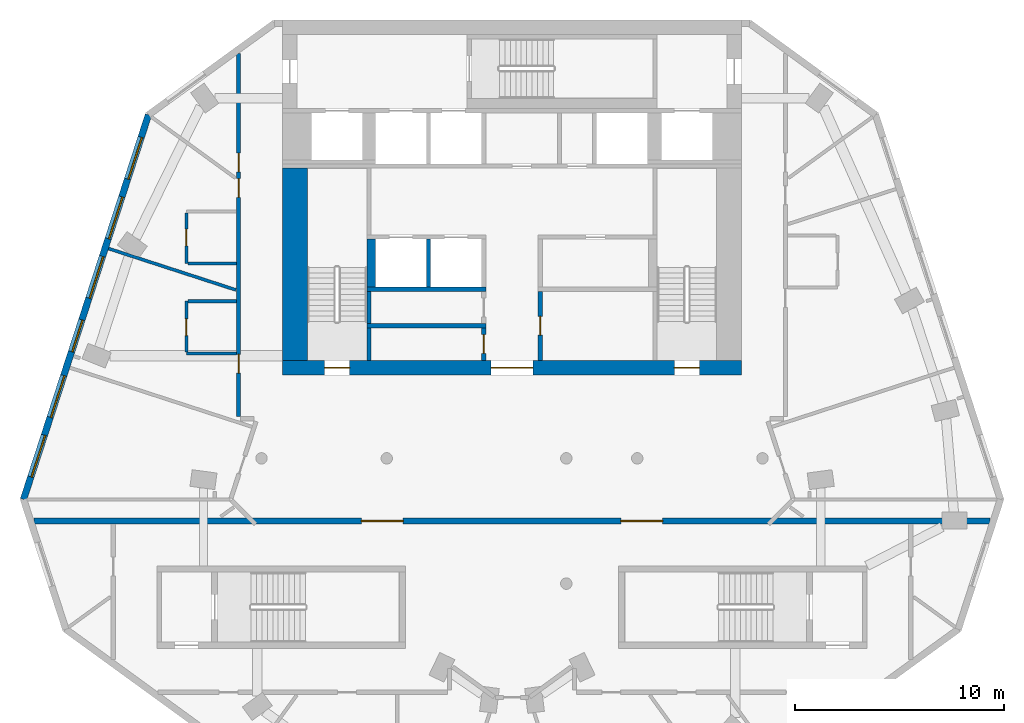
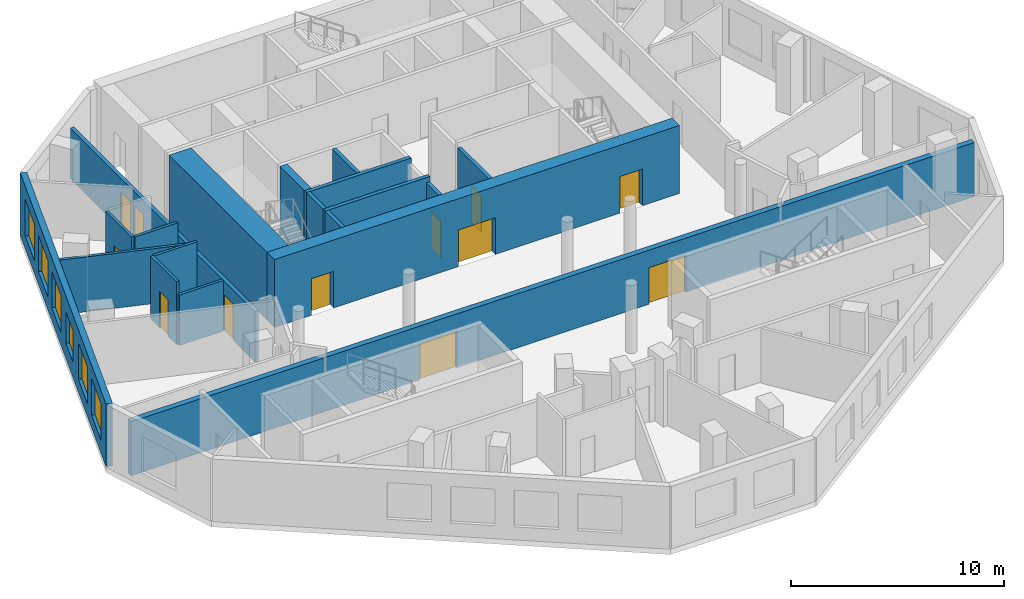
# One storey, part 3 of 8: 19 walls, 12 doors, 6 windows, 18 openings.
"""IFC4 building model written with IfcOpenShell, lengths in metres."""

import ifcopenshell
import ifcopenshell.guid

model = None  # the IFC model being written
_history = None  # IfcOwnerHistory: only IFC2X3 demands one
_inside = {}  # id of a spatial element -> (the spatial element, [elements in it])
_under = {}  # id of a project, library or spatial element -> (it, [spatial elements below it])
_declared = {}  # id of a project -> (the project, [libraries it declares])
_typed = {}  # id of a type object -> (the type object, [elements of that type])
_made_of = {}  # id of a material, layer set ... -> (it, [elements and type objects made of it])


def new_model(schema):
    """Start an empty IFC model of exactly this schema.

    Asked for "IFC4X3", IfcOpenShell would pick the latest addendum, in which some entities
    have other attributes; the version numbers below select the first issue.
    IFC2X3 requires an IfcOwnerHistory on every rooted entity: one is made here for all.
    """
    global model, _history
    if schema == "IFC4X3":
        model = ifcopenshell.file(schema_version=(4, 3, 0, 0))
    else:
        model = ifcopenshell.file(schema=schema)
    _inside.clear()
    _under.clear()
    _declared.clear()
    _typed.clear()
    _made_of.clear()
    _history = None
    if model.schema == "IFC2X3":
        org = make("IfcOrganization", Name="unknown")
        user = make(
            "IfcPersonAndOrganization",
            ThePerson=make("IfcPerson", FamilyName="unknown"),
            TheOrganization=org,
        )
        app = make(
            "IfcApplication",
            ApplicationDeveloper=org,
            Version="unknown",
            ApplicationFullName="unknown",
            ApplicationIdentifier="unknown",
        )
        _history = make(
            "IfcOwnerHistory",
            OwningUser=user,
            OwningApplication=app,
            ChangeAction="ADDED",
            CreationDate=0,
        )
    return model


def make(cls, **values):
    """One entity of the class cls with the attributes given. An attribute that is None is left unset."""
    return model.create_entity(
        cls, **{name: value for name, value in values.items() if value is not None}
    )


def rooted(cls, **values):
    """An entity with a GlobalId (a new one), such as an element, a storey or a relation."""
    return make(cls, GlobalId=ifcopenshell.guid.new(), OwnerHistory=_history, **values)


def si_unit(unit_type, name, prefix=None):
    """IfcSIUnit, for example si_unit("LENGTHUNIT", "METRE", prefix="MILLI")."""
    return make("IfcSIUnit", UnitType=unit_type, Prefix=prefix, Name=name)


def assignment(units):
    """IfcUnitAssignment: the units of a project."""
    return None if units is None else make("IfcUnitAssignment", Units=units)


def point(xyz):
    """IfcCartesianPoint."""
    return None if xyz is None else make("IfcCartesianPoint", Coordinates=xyz)


def direction(xyz):
    """IfcDirection."""
    return None if xyz is None else make("IfcDirection", DirectionRatios=xyz)


def frame(location, z_axis=None, x_axis=None):
    """IfcAxis2Placement3D, a coordinate frame: its origin and axes. An axis left out is left unset."""
    return make(
        "IfcAxis2Placement3D",
        Location=point(location),
        Axis=direction(z_axis),
        RefDirection=direction(x_axis),
    )


def frame_2d(location, x_axis=None):
    """IfcAxis2Placement2D, a coordinate frame in the plane: its origin and x axis."""
    return make(
        "IfcAxis2Placement2D", Location=point(location), RefDirection=direction(x_axis)
    )


def origin():
    """The frame at (0, 0, 0) with its axes left unset."""
    return frame((0.0, 0.0, 0.0))


def place(relative_to, where):
    """IfcLocalPlacement: puts the frame where relative to a parent placement (None: the world)."""
    return make(
        "IfcLocalPlacement", PlacementRelTo=relative_to, RelativePlacement=where
    )


def context(
    kind, dimensions, precision=None, world=None, true_north=None, identifier=None
):
    """IfcGeometricRepresentationContext, for example the 3D "Model" context."""
    return make(
        "IfcGeometricRepresentationContext",
        ContextIdentifier=identifier,
        ContextType=kind,
        CoordinateSpaceDimension=dimensions,
        Precision=precision,
        WorldCoordinateSystem=world,
        TrueNorth=true_north,
    )


def subcontext(parent, identifier, kind, view, scale=None):
    """IfcGeometricRepresentationSubContext, for example "Body" below "Model"."""
    return make(
        "IfcGeometricRepresentationSubContext",
        ContextIdentifier=identifier,
        ContextType=kind,
        ParentContext=parent,
        TargetScale=scale,
        TargetView=view,
    )


def project(units=None, contexts=None):
    """IfcProject with its units and contexts."""
    return rooted(
        "IfcProject",
        Name="project",
        RepresentationContexts=contexts,
        UnitsInContext=assignment(units),
    )


def spatial(cls, under=None, at=None, **own):
    """A site, building, storey or space (cls), placed at a placement, below another one or the project."""
    s = rooted(cls, ObjectPlacement=at, **own)
    if under is not None:
        _under.setdefault(under.id(), (under, []))[1].append(s)
    return s


def profile(cls, at=None, kind="AREA", **sizes):
    """A parametric profile (cls). Its sizes go by their IFC names, for example OverallWidth=200.0."""
    return make(cls, ProfileType=kind, Position=at, **sizes)


def rectangle(**sizes):
    """IfcRectangleProfileDef."""
    return profile("IfcRectangleProfileDef", **sizes)


def extrude(swept, where, along, depth):
    """IfcExtrudedAreaSolid: the profile swept, set in the frame where, extruded along a direction by depth."""
    return make(
        "IfcExtrudedAreaSolid",
        SweptArea=swept,
        Position=where,
        ExtrudedDirection=direction(along),
        Depth=depth,
    )


def shape(context_of_items, identifier, shape_type, items):
    """IfcShapeRepresentation: the items that make up one representation, for example the "Body"."""
    return make(
        "IfcShapeRepresentation",
        ContextOfItems=context_of_items,
        RepresentationIdentifier=identifier,
        RepresentationType=shape_type,
        Items=items,
    )


def material(Name=None, Category=None):
    """IfcMaterial."""
    return make("IfcMaterial", Name=Name, Category=Category)


def layer(
    of_material, thickness, ventilated=None, Name=None, Category=None, Priority=None
):
    """IfcMaterialLayer: one layer of a wall or slab, of a material (None: an air gap)."""
    return make(
        "IfcMaterialLayer",
        Material=of_material,
        LayerThickness=thickness,
        IsVentilated=ventilated,
        Name=Name,
        Category=Category,
        Priority=Priority,
    )


def layer_set(layers, Name=None):
    """IfcMaterialLayerSet."""
    return make("IfcMaterialLayerSet", MaterialLayers=layers, LayerSetName=Name)


def made_of(thing, what):
    """Note that an element or type object is made of a material, layer set ...; save() writes the relation."""
    if what is not None:
        _made_of.setdefault(what.id(), (what, []))[1].append(thing)
    return thing


def type_object(cls, material=None, **own):
    """A type object (cls), such as IfcWallType, which elements share."""
    return made_of(rooted(cls, **own), material)


def element(
    cls,
    number,
    at=None,
    inside=None,
    cuts=None,
    type_object=None,
    material=None,
    context=None,
    identifier="Body",
    shape_type=None,
    held_by="IfcProductDefinitionShape",
    body=None,
    shapes=None,
    **own,
):
    """One element of the class cls, such as IfcWall. Its Tag is "e" and its number.

    at: its placement. inside: the storey or other place that contains it. cuts: it is an
    opening in that element (IfcRelVoidsElement). A single representation is given by context,
    identifier, shape_type and body (its items); several are given by shapes. held_by: the class
    of the entity that holds the representations. save() writes the other relations.
    """
    e = rooted(cls, Tag="e%d" % number, ObjectPlacement=at, **own)
    if body is not None:
        shapes = [shape(context, identifier, shape_type, body)]
    if shapes is not None:
        e.Representation = make(held_by, Representations=shapes)
    if inside is not None:
        _inside.setdefault(inside.id(), (inside, []))[1].append(e)
    if cuts is not None:
        rooted(
            "IfcRelVoidsElement", RelatingBuildingElement=cuts, RelatedOpeningElement=e
        )
    if type_object is not None:
        _typed.setdefault(type_object.id(), (type_object, []))[1].append(e)
    return made_of(e, material)


def fill(opening, filler):
    """IfcRelFillsElement: the door or window that sits in an opening."""
    return rooted(
        "IfcRelFillsElement",
        RelatingOpeningElement=opening,
        RelatedBuildingElement=filler,
    )


def aggregate(whole, parts):
    """IfcRelAggregates: a whole, such as a stair, and the parts it consists of."""
    return rooted("IfcRelAggregates", RelatingObject=whole, RelatedObjects=parts)


def save(model, path):
    """Write the relations noted so far, then the file.

    IfcRelAggregates (storeys below a building ...), IfcRelContainedInSpatialStructure (elements
    in a storey), IfcRelDefinesByType, IfcRelAssociatesMaterial and IfcRelDeclares: one each for
    every whole, place, type object, material and project.
    """
    for whole, parts in _under.values():
        aggregate(whole, parts)
    for where, things in _inside.values():
        rooted(
            "IfcRelContainedInSpatialStructure",
            RelatedElements=things,
            RelatingStructure=where,
        )
    for kind, things in _typed.values():
        rooted("IfcRelDefinesByType", RelatedObjects=things, RelatingType=kind)
    for what, things in _made_of.values():
        rooted("IfcRelAssociatesMaterial", RelatedObjects=things, RelatingMaterial=what)
    for by, libraries in _declared.values():
        rooted("IfcRelDeclares", RelatingContext=by, RelatedDefinitions=libraries)
    model.write(path)


model = new_model("IFC4")

# Units and contexts
model_context = context("Model", 3, precision=1e-05, world=origin(), true_north=direction((0.0, 1.0)))
body_context = subcontext(model_context, "Body", "Model", "MODEL_VIEW")
ifc_project = project(units=[si_unit("LENGTHUNIT", "METRE"), si_unit("AREAUNIT", "SQUARE_METRE"), si_unit("VOLUMEUNIT", "CUBIC_METRE"), si_unit("PLANEANGLEUNIT", "RADIAN"), si_unit("MASSUNIT", "GRAM", prefix="KILO")], contexts=[model_context])

# Site, building, storey
site_placement = place(None, origin())
site = spatial("IfcSite", under=ifc_project, at=site_placement, CompositionType="ELEMENT")
building_placement = place(site_placement, origin())
building = spatial("IfcBuilding", under=site, at=building_placement, Name="White Candle Pilgrim Tower", CompositionType="ELEMENT")
storey_placement = place(building_placement, frame((0.0, 0.0, 267.800048828125)))
storey = spatial("IfcBuildingStorey", under=building, at=storey_placement, Name="L63", CompositionType="ELEMENT", Elevation=267.800048828125)

# Wall, openings, doors
ifc_material_1 = material(Name="Gypsum board on steel studs", Category="steel")
ifc_layer_1 = layer(ifc_material_1, 0.199951171875)
ifc_layer_set_1 = layer_set([ifc_layer_1], Name="Corridor wall 200 mm EI 45")
wall_type_1 = type_object("IfcWallType", Name="Corridor wall 200 mm EI 45", PredefinedType="PARTITIONING", material=ifc_layer_set_1)
wall_1_placement = place(storey_placement, frame((56.89990234375, 69.0, 0.0), z_axis=(0.0, 0.0, 1.0), x_axis=(0.0, 1.0, 0.0)))
wall_1 = element("IfcWall", 1, at=wall_1_placement, inside=storey, type_object=wall_type_1, Name="WL-L63-P006", PredefinedType="PARTITIONING", context=body_context, shape_type="SweptSolid", body=[
    extrude(rectangle(XDim=17.396240234375, YDim=0.199951171875, at=frame_2d((8.6982421875, 0.0))), origin(), (0.0, 0.0, 1.0), 2.89990234375),
])
opening_1_placement = place(wall_1_placement, frame((2.084716796875, 0.0, 0.0)))
opening_1 = element("IfcOpeningElement", 2, at=opening_1_placement, cuts=wall_1, Name="Opening T19-115", PredefinedType="OPENING", context=body_context, shape_type="SweptSolid", body=[
    extrude(rectangle(XDim=0.89990234375, YDim=2.10009765625, at=frame_2d((0.449951171875, 1.050048828125))), frame((0.0, 0.10986328125, 0.0), z_axis=(0.0, -1.0, 0.0), x_axis=(1.0, 0.0, 0.0)), (0.0, 0.0, 1.0), 0.219970703125),
])
opening_2_placement = place(wall_1_placement, frame((10.502197265625, 0.0, 0.0)))
opening_2 = element("IfcOpeningElement", 3, at=opening_2_placement, cuts=wall_1, Name="Opening T19-116", PredefinedType="OPENING", context=body_context, shape_type="SweptSolid", body=[
    extrude(rectangle(XDim=0.89990234375, YDim=2.10009765625, at=frame_2d((0.449951171875, 1.050048828125))), frame((0.0, 0.10986328125, 0.0), z_axis=(0.0, -1.0, 0.0), x_axis=(1.0, 0.0, 0.0)), (0.0, 0.0, 1.0), 0.219970703125),
])
opening_3_placement = place(wall_1_placement, frame((11.727294921875, 0.0, 0.0)))
opening_3 = element("IfcOpeningElement", 4, at=opening_3_placement, cuts=wall_1, Name="Opening T19-117", PredefinedType="OPENING", context=body_context, shape_type="SweptSolid", body=[
    extrude(rectangle(XDim=0.89990234375, YDim=2.10009765625, at=frame_2d((0.449951171875, 1.050048828125))), frame((0.0, 0.10986328125, 0.0), z_axis=(0.0, -1.0, 0.0), x_axis=(1.0, 0.0, 0.0)), (0.0, 0.0, 1.0), 0.219970703125),
])
ifc_material_2 = material(Name="Steel door leaf", Category="steel")
door_type_1 = type_object("IfcDoorType", Name="Fire door 900 x 2100 EI 30", OperationType="NOTDEFINED", PredefinedType="DOOR", material=ifc_material_2)
door_1_placement = place(opening_1_placement, frame((0.89990234375, 0.0, 0.0), z_axis=(0.0, 0.0, 1.0), x_axis=(-1.0, 0.0, 0.0)))
door_1 = element("IfcDoor", 5, at=door_1_placement, inside=storey, type_object=door_type_1, Name="Door T19-115", OperationType="SINGLE_SWING_RIGHT", OverallHeight=2.10009765625, OverallWidth=0.89990234375, PredefinedType="DOOR", context=body_context, shape_type="SweptSolid", body=[
    extrude(rectangle(XDim=0.89990234375, YDim=2.10009765625, at=frame_2d((0.449951171875, 1.050048828125))), frame((0.0, 0.02490234375, 0.0), z_axis=(0.0, -1.0, 0.0), x_axis=(1.0, 0.0, 0.0)), (0.0, 0.0, 1.0), 0.050048828125),
])
fill(opening_1, door_1)
door_2_placement = place(opening_2_placement, origin())
door_2 = element("IfcDoor", 6, at=door_2_placement, inside=storey, type_object=door_type_1, Name="Door T19-116", OperationType="SINGLE_SWING_RIGHT", OverallHeight=2.10009765625, OverallWidth=0.89990234375, PredefinedType="DOOR", context=body_context, shape_type="SweptSolid", body=[
    extrude(rectangle(XDim=0.89990234375, YDim=2.10009765625, at=frame_2d((0.449951171875, 1.050048828125))), frame((0.0, 0.02490234375, 0.0), z_axis=(0.0, -1.0, 0.0), x_axis=(1.0, 0.0, 0.0)), (0.0, 0.0, 1.0), 0.050048828125),
])
fill(opening_2, door_2)
door_3_placement = place(opening_3_placement, origin())
door_3 = element("IfcDoor", 7, at=door_3_placement, inside=storey, type_object=door_type_1, Name="Door T19-117", OperationType="SINGLE_SWING_LEFT", OverallHeight=2.10009765625, OverallWidth=0.89990234375, PredefinedType="DOOR", context=body_context, shape_type="SweptSolid", body=[
    extrude(rectangle(XDim=0.89990234375, YDim=2.10009765625, at=frame_2d((0.449951171875, 1.050048828125))), frame((0.0, 0.02490234375, 0.0), z_axis=(0.0, -1.0, 0.0), x_axis=(1.0, 0.0, 0.0)), (0.0, 0.0, 1.0), 0.050048828125),
])
fill(opening_3, door_3)

# Wall, openings, windows
ifc_material_3 = material(Name="Precast concrete C40/50", Category="concrete")
ifc_layer_2 = layer(ifc_material_3, 0.320068359375)
ifc_layer_set_2 = layer_set([ifc_layer_2], Name="Facade wall EW1 precast concrete C40/50 pier wall with timber-lined reveals")
wall_type_2 = type_object("IfcWallType", Name="Facade wall EW1 precast concrete C40/50 pier wall with timber-lined reveals", PredefinedType="SOLIDWALL", material=ifc_layer_set_2)
wall_2_placement = place(storey_placement, frame((52.58447265625, 83.45849609375, 0.0), z_axis=(0.0, 0.0, 1.0), x_axis=(-0.309018808064, -0.95105592699, 0.0)))
wall_2 = element("IfcWall", 8, at=wall_2_placement, inside=storey, type_object=wall_type_2, Name="Facade wall L63 WNW", PredefinedType="SOLIDWALL", context=body_context, shape_type="SweptSolid", body=[
    extrude(rectangle(XDim=19.368896484375, YDim=0.320068359375, at=frame_2d((9.6845703125, 0.0))), origin(), (0.0, 0.0, 1.0), 3.599853515625),
])
opening_4_placement = place(wall_2_placement, frame((1.134521484375, 0.0, 0.75)))
opening_4 = element("IfcOpeningElement", 9, at=opening_4_placement, cuts=wall_2, Name="Opening W3", PredefinedType="OPENING", context=body_context, shape_type="SweptSolid", body=[
    extrude(rectangle(XDim=2.10009765625, YDim=2.10009765625, at=frame_2d((1.050048828125, 1.050048828125))), frame((0.0, 0.169921875, 0.0), z_axis=(0.0, -1.0, 0.0), x_axis=(1.0, 0.0, 0.0)), (0.0, 0.0, 1.0), 0.340087890625),
])
opening_5_placement = place(wall_2_placement, frame((4.134521484375, 0.0, 0.75)))
opening_5 = element("IfcOpeningElement", 10, at=opening_5_placement, cuts=wall_2, Name="Opening W3", PredefinedType="OPENING", context=body_context, shape_type="SweptSolid", body=[
    extrude(rectangle(XDim=2.10009765625, YDim=2.10009765625, at=frame_2d((1.050048828125, 1.050048828125))), frame((0.0, 0.169921875, 0.0), z_axis=(0.0, -1.0, 0.0), x_axis=(1.0, 0.0, 0.0)), (0.0, 0.0, 1.0), 0.340087890625),
])
opening_6_placement = place(wall_2_placement, frame((7.134521484375, 0.0, 0.75)))
opening_6 = element("IfcOpeningElement", 11, at=opening_6_placement, cuts=wall_2, Name="Opening W3", PredefinedType="OPENING", context=body_context, shape_type="SweptSolid", body=[
    extrude(rectangle(XDim=2.10009765625, YDim=2.10009765625, at=frame_2d((1.050048828125, 1.050048828125))), frame((0.0, 0.169921875, 0.0), z_axis=(0.0, -1.0, 0.0), x_axis=(1.0, 0.0, 0.0)), (0.0, 0.0, 1.0), 0.340087890625),
])
opening_7_placement = place(wall_2_placement, frame((10.3291015625, 0.0, 0.89990234375)))
opening_7 = element("IfcOpeningElement", 12, at=opening_7_placement, cuts=wall_2, Name="Opening W2", PredefinedType="OPENING", context=body_context, shape_type="SweptSolid", body=[
    extrude(rectangle(XDim=1.60009765625, YDim=1.800048828125, at=frame_2d((0.800048828125, 0.89990234375))), frame((0.0, 0.169921875, 0.0), z_axis=(0.0, -1.0, 0.0), x_axis=(1.0, 0.0, 0.0)), (0.0, 0.0, 1.0), 0.340087890625),
])
opening_8_placement = place(wall_2_placement, frame((13.134521484375, 0.0, 0.75)))
opening_8 = element("IfcOpeningElement", 13, at=opening_8_placement, cuts=wall_2, Name="Opening W3", PredefinedType="OPENING", context=body_context, shape_type="SweptSolid", body=[
    extrude(rectangle(XDim=2.10009765625, YDim=2.10009765625, at=frame_2d((1.050048828125, 1.050048828125))), frame((0.0, 0.169921875, 0.0), z_axis=(0.0, -1.0, 0.0), x_axis=(1.0, 0.0, 0.0)), (0.0, 0.0, 1.0), 0.340087890625),
])
opening_9_placement = place(wall_2_placement, frame((16.134521484375, 0.0, 0.75)))
opening_9 = element("IfcOpeningElement", 14, at=opening_9_placement, cuts=wall_2, Name="Opening W3", PredefinedType="OPENING", context=body_context, shape_type="SweptSolid", body=[
    extrude(rectangle(XDim=2.10009765625, YDim=2.10009765625, at=frame_2d((1.050048828125, 1.050048828125))), frame((0.0, 0.169921875, 0.0), z_axis=(0.0, -1.0, 0.0), x_axis=(1.0, 0.0, 0.0)), (0.0, 0.0, 1.0), 0.340087890625),
])
ifc_material_4 = material(Name="Timber frame with triple glazing", Category="wood")
window_type_1 = type_object("IfcWindowType", Name="Window W2 1600x1800 timber frame triple glazing", PartitioningType="SINGLE_PANEL", PredefinedType="WINDOW", material=ifc_material_4)
window_1_placement = place(opening_7_placement, origin())
window_1 = element("IfcWindow", 15, at=window_1_placement, inside=storey, type_object=window_type_1, Name="Window W2 L63 WNW 4", OverallHeight=1.800048828125, OverallWidth=1.60009765625, PartitioningType="SINGLE_PANEL", PredefinedType="WINDOW", context=body_context, shape_type="SweptSolid", body=[
    extrude(rectangle(XDim=1.60009765625, YDim=1.800048828125, at=frame_2d((0.800048828125, 0.89990234375))), frame((0.0, 0.070068359375, 0.0), z_axis=(0.0, -1.0, 0.0), x_axis=(1.0, 0.0, 0.0)), (0.0, 0.0, 1.0), 0.06005859375),
])
fill(opening_7, window_1)
window_type_2 = type_object("IfcWindowType", Name="Window W3 2100x2100 timber frame triple glazing", PartitioningType="SINGLE_PANEL", PredefinedType="WINDOW", material=ifc_material_4)
window_2_placement = place(opening_4_placement, origin())
window_2 = element("IfcWindow", 16, at=window_2_placement, inside=storey, type_object=window_type_2, Name="Window W3 L63 WNW 1", OverallHeight=2.10009765625, OverallWidth=2.10009765625, PartitioningType="SINGLE_PANEL", PredefinedType="WINDOW", context=body_context, shape_type="SweptSolid", body=[
    extrude(rectangle(XDim=2.10009765625, YDim=2.10009765625, at=frame_2d((1.050048828125, 1.050048828125))), frame((0.0, 0.070068359375, 0.0), z_axis=(0.0, -1.0, 0.0), x_axis=(1.0, 0.0, 0.0)), (0.0, 0.0, 1.0), 0.06005859375),
])
fill(opening_4, window_2)
window_3_placement = place(opening_5_placement, origin())
window_3 = element("IfcWindow", 17, at=window_3_placement, inside=storey, type_object=window_type_2, Name="Window W3 L63 WNW 2", OverallHeight=2.10009765625, OverallWidth=2.10009765625, PartitioningType="SINGLE_PANEL", PredefinedType="WINDOW", context=body_context, shape_type="SweptSolid", body=[
    extrude(rectangle(XDim=2.10009765625, YDim=2.10009765625, at=frame_2d((1.050048828125, 1.050048828125))), frame((0.0, 0.070068359375, 0.0), z_axis=(0.0, -1.0, 0.0), x_axis=(1.0, 0.0, 0.0)), (0.0, 0.0, 1.0), 0.06005859375),
])
fill(opening_5, window_3)
window_4_placement = place(opening_6_placement, origin())
window_4 = element("IfcWindow", 18, at=window_4_placement, inside=storey, type_object=window_type_2, Name="Window W3 L63 WNW 3", OverallHeight=2.10009765625, OverallWidth=2.10009765625, PartitioningType="SINGLE_PANEL", PredefinedType="WINDOW", context=body_context, shape_type="SweptSolid", body=[
    extrude(rectangle(XDim=2.10009765625, YDim=2.10009765625, at=frame_2d((1.050048828125, 1.050048828125))), frame((0.0, 0.070068359375, 0.0), z_axis=(0.0, -1.0, 0.0), x_axis=(1.0, 0.0, 0.0)), (0.0, 0.0, 1.0), 0.06005859375),
])
fill(opening_6, window_4)
window_5_placement = place(opening_8_placement, origin())
window_5 = element("IfcWindow", 19, at=window_5_placement, inside=storey, type_object=window_type_2, Name="Window W3 L63 WNW 5", OverallHeight=2.10009765625, OverallWidth=2.10009765625, PartitioningType="SINGLE_PANEL", PredefinedType="WINDOW", context=body_context, shape_type="SweptSolid", body=[
    extrude(rectangle(XDim=2.10009765625, YDim=2.10009765625, at=frame_2d((1.050048828125, 1.050048828125))), frame((0.0, 0.070068359375, 0.0), z_axis=(0.0, -1.0, 0.0), x_axis=(1.0, 0.0, 0.0)), (0.0, 0.0, 1.0), 0.06005859375),
])
fill(opening_8, window_5)
window_6_placement = place(opening_9_placement, origin())
window_6 = element("IfcWindow", 20, at=window_6_placement, inside=storey, type_object=window_type_2, Name="Window W3 L63 WNW 6", OverallHeight=2.10009765625, OverallWidth=2.10009765625, PartitioningType="SINGLE_PANEL", PredefinedType="WINDOW", context=body_context, shape_type="SweptSolid", body=[
    extrude(rectangle(XDim=2.10009765625, YDim=2.10009765625, at=frame_2d((1.050048828125, 1.050048828125))), frame((0.0, 0.070068359375, 0.0), z_axis=(0.0, -1.0, 0.0), x_axis=(1.0, 0.0, 0.0)), (0.0, 0.0, 1.0), 0.06005859375),
])
fill(opening_9, window_6)

# Wall, openings, doors
ifc_material_5 = material(Name="Aerated concrete block", Category="concrete")
ifc_layer_3 = layer(ifc_material_5, 0.300048828125)
ifc_layer_set_3 = layer_set([ifc_layer_3], Name="Fire wall 300 mm REI 240")
wall_type_3 = type_object("IfcWallType", Name="Fire wall 300 mm REI 240", PredefinedType="PARTITIONING", material=ifc_layer_set_3)
wall_3_placement = place(storey_placement, frame((47.1044921875, 64.0, 0.0), z_axis=(0.0, 0.0, 1.0), x_axis=(1.0, 0.0, 0.0)))
wall_3 = element("IfcWall", 21, at=wall_3_placement, inside=storey, type_object=wall_type_3, Name="WL-L63-P001", PredefinedType="PARTITIONING", context=body_context, shape_type="SweptSolid", body=[
    extrude(rectangle(XDim=45.791015625, YDim=0.300048828125, at=frame_2d((22.8955078125, 0.0))), origin(), (0.0, 0.0, 1.0), 3.099853515625),
])
opening_10_placement = place(wall_3_placement, frame((15.675537109375, 0.0, 0.0)))
opening_10 = element("IfcOpeningElement", 22, at=opening_10_placement, cuts=wall_3, Name="Opening T19-111", PredefinedType="OPENING", context=body_context, shape_type="SweptSolid", body=[
    extrude(rectangle(XDim=2.0, YDim=2.10009765625, at=frame_2d((1.0, 1.050048828125))), frame((0.0, 0.159912109375, 0.0), z_axis=(0.0, -1.0, 0.0), x_axis=(1.0, 0.0, 0.0)), (0.0, 0.0, 1.0), 0.320068359375),
])
opening_11_placement = place(wall_3_placement, frame((28.115478515625, 0.0, 0.0)))
opening_11 = element("IfcOpeningElement", 23, at=opening_11_placement, cuts=wall_3, Name="Opening T19-112", PredefinedType="OPENING", context=body_context, shape_type="SweptSolid", body=[
    extrude(rectangle(XDim=2.0, YDim=2.10009765625, at=frame_2d((1.0, 1.050048828125))), frame((0.0, 0.159912109375, 0.0), z_axis=(0.0, -1.0, 0.0), x_axis=(1.0, 0.0, 0.0)), (0.0, 0.0, 1.0), 0.320068359375),
])
door_type_2 = type_object("IfcDoorType", Name="Fire door 2000 x 2100 EI 60", OperationType="NOTDEFINED", PredefinedType="DOOR", material=ifc_material_2)
door_4_placement = place(opening_10_placement, origin())
door_4 = element("IfcDoor", 24, at=door_4_placement, inside=storey, type_object=door_type_2, Name="Door T19-111", OperationType="DOUBLE_DOOR_SINGLE_SWING", OverallHeight=2.10009765625, OverallWidth=2.0, PredefinedType="DOOR", context=body_context, shape_type="SweptSolid", body=[
    extrude(rectangle(XDim=2.0, YDim=2.10009765625, at=frame_2d((1.0, 1.050048828125))), frame((0.0, 0.02490234375, 0.0), z_axis=(0.0, -1.0, 0.0), x_axis=(1.0, 0.0, 0.0)), (0.0, 0.0, 1.0), 0.050048828125),
])
fill(opening_10, door_4)
door_5_placement = place(opening_11_placement, origin())
door_5 = element("IfcDoor", 25, at=door_5_placement, inside=storey, type_object=door_type_2, Name="Door T19-112", OperationType="DOUBLE_DOOR_SINGLE_SWING", OverallHeight=2.10009765625, OverallWidth=2.0, PredefinedType="DOOR", context=body_context, shape_type="SweptSolid", body=[
    extrude(rectangle(XDim=2.0, YDim=2.10009765625, at=frame_2d((1.0, 1.050048828125))), frame((0.0, 0.02490234375, 0.0), z_axis=(0.0, -1.0, 0.0), x_axis=(1.0, 0.0, 0.0)), (0.0, 0.0, 1.0), 0.050048828125),
])
fill(opening_11, door_5)

# Wall, opening, door
ifc_layer_4 = layer(ifc_material_1, 0.199951171875)
ifc_layer_set_4 = layer_set([ifc_layer_4], Name="Lobby wall 200 mm EI 60")
wall_type_4 = type_object("IfcWallType", Name="Lobby wall 200 mm EI 60", PredefinedType="PARTITIONING", material=ifc_layer_set_4)
wall_4_placement = place(storey_placement, frame((68.64990234375, 71.699951171875, 0.0), z_axis=(0.0, 0.0, 1.0), x_axis=(0.0, 1.0, 0.0)))
wall_4 = element("IfcWall", 26, at=wall_4_placement, inside=storey, type_object=wall_type_4, Name="WL-L63-C14", PredefinedType="PARTITIONING", context=body_context, shape_type="SweptSolid", body=[
    extrude(rectangle(XDim=1.550048828125, YDim=0.199951171875, at=frame_2d((0.77490234375, 0.0))), origin(), (0.0, 0.0, 1.0), 3.599853515625),
])
opening_12_placement = place(wall_4_placement, frame((0.324951171875, 0.0, 0.0)))
opening_12 = element("IfcOpeningElement", 27, at=opening_12_placement, cuts=wall_4, Name="Opening T19-005", PredefinedType="OPENING", context=body_context, shape_type="SweptSolid", body=[
    extrude(rectangle(XDim=0.89990234375, YDim=2.10009765625, at=frame_2d((0.449951171875, 1.050048828125))), frame((0.0, 0.10986328125, 0.0), z_axis=(0.0, -1.0, 0.0), x_axis=(1.0, 0.0, 0.0)), (0.0, 0.0, 1.0), 0.219970703125),
])
door_6_placement = place(opening_12_placement, origin())
door_6 = element("IfcDoor", 28, at=door_6_placement, inside=storey, type_object=door_type_1, Name="Door T19-005", OperationType="SINGLE_SWING_LEFT", OverallHeight=2.10009765625, OverallWidth=0.89990234375, PredefinedType="DOOR", context=body_context, shape_type="SweptSolid", body=[
    extrude(rectangle(XDim=0.89990234375, YDim=2.10009765625, at=frame_2d((0.449951171875, 1.050048828125))), frame((0.0, 0.02490234375, 0.0), z_axis=(0.0, -1.0, 0.0), x_axis=(1.0, 0.0, 0.0)), (0.0, 0.0, 1.0), 0.050048828125),
])
fill(opening_12, door_6)

wall_5_placement = place(storey_placement, frame((71.35009765625, 71.699951171875, 0.0), z_axis=(0.0, 0.0, 1.0), x_axis=(0.0, 1.0, 0.0)))
wall_5 = element("IfcWall", 29, at=wall_5_placement, inside=storey, type_object=wall_type_4, Name="WL-L63-C15", PredefinedType="PARTITIONING", context=body_context, shape_type="SweptSolid", body=[
    extrude(rectangle(XDim=3.300048828125, YDim=0.199951171875, at=frame_2d((1.64990234375, 0.0))), origin(), (0.0, 0.0, 1.0), 3.599853515625),
])
opening_13_placement = place(wall_5_placement, frame((1.199951171875, 0.0, 0.0)))
opening_13 = element("IfcOpeningElement", 30, at=opening_13_placement, cuts=wall_5, Name="Opening T19-007", PredefinedType="OPENING", context=body_context, shape_type="SweptSolid", body=[
    extrude(rectangle(XDim=0.89990234375, YDim=2.10009765625, at=frame_2d((0.449951171875, 1.050048828125))), frame((0.0, 0.10986328125, 0.0), z_axis=(0.0, -1.0, 0.0), x_axis=(1.0, 0.0, 0.0)), (0.0, 0.0, 1.0), 0.219970703125),
])
door_7_placement = place(opening_13_placement, origin())
door_7 = element("IfcDoor", 31, at=door_7_placement, inside=storey, type_object=door_type_1, Name="Door T19-007", OperationType="SINGLE_SWING_LEFT", OverallHeight=2.10009765625, OverallWidth=0.89990234375, PredefinedType="DOOR", context=body_context, shape_type="SweptSolid", body=[
    extrude(rectangle(XDim=0.89990234375, YDim=2.10009765625, at=frame_2d((0.449951171875, 1.050048828125))), frame((0.0, 0.02490234375, 0.0), z_axis=(0.0, -1.0, 0.0), x_axis=(1.0, 0.0, 0.0)), (0.0, 0.0, 1.0), 0.050048828125),
])
fill(opening_13, door_7)

# Wall
ifc_layer_5 = layer(ifc_material_1, 0.14990234375)
ifc_layer_set_5 = layer_set([ifc_layer_5], Name="Partition 150 mm EI 60")
wall_type_5 = type_object("IfcWallType", Name="Partition 150 mm EI 60", PredefinedType="PARTITIONING", material=ifc_layer_set_5)
wall_6_placement = place(storey_placement, frame((50.6708984375, 77.0517578125, 0.0), z_axis=(0.0, 0.0, 1.0), x_axis=(0.951059216388, -0.309008684221, 0.0)))
element("IfcWall", 32, at=wall_6_placement, inside=storey, type_object=wall_type_5, Name="WL-L63-P029", PredefinedType="PARTITIONING", context=body_context, shape_type="SweptSolid", body=[
    extrude(rectangle(XDim=6.420166015625, YDim=0.14990234375, at=frame_2d((3.2099609375, 0.0))), origin(), (0.0, 0.0, 1.0), 3.14990234375),
])

# Wall, opening, door
wall_7_placement = place(storey_placement, frame((54.39990234375, 76.327880859375, 0.0), z_axis=(0.0, 0.0, 1.0), x_axis=(0.0, 1.0, 0.0)))
wall_7 = element("IfcWall", 33, at=wall_7_placement, inside=storey, type_object=wall_type_5, Name="WL-L63-P032", PredefinedType="PARTITIONING", context=body_context, shape_type="SweptSolid", body=[
    extrude(rectangle(XDim=2.425048828125, YDim=0.14990234375, at=frame_2d((1.21240234375, 0.0))), origin(), (0.0, 0.0, 1.0), 3.599853515625),
])
opening_14_placement = place(wall_7_placement, frame((0.85009765625, 0.0, 0.0)))
opening_14 = element("IfcOpeningElement", 34, at=opening_14_placement, cuts=wall_7, Name="Opening T19-101", PredefinedType="OPENING", context=body_context, shape_type="SweptSolid", body=[
    extrude(rectangle(XDim=0.800048828125, YDim=2.10009765625, at=frame_2d((0.39990234375, 1.050048828125))), frame((0.0, 0.0849609375, 0.0), z_axis=(0.0, -1.0, 0.0), x_axis=(1.0, 0.0, 0.0)), (0.0, 0.0, 1.0), 0.169921875),
])
door_type_3 = type_object("IfcDoorType", Name="Fire door 800 x 2100 EI 30", OperationType="NOTDEFINED", PredefinedType="DOOR", material=ifc_material_2)
door_8_placement = place(opening_14_placement, origin())
door_8 = element("IfcDoor", 35, at=door_8_placement, inside=storey, type_object=door_type_3, Name="Door T19-101", OperationType="SINGLE_SWING_LEFT", OverallHeight=2.10009765625, OverallWidth=0.800048828125, PredefinedType="DOOR", context=body_context, shape_type="SweptSolid", body=[
    extrude(rectangle(XDim=0.800048828125, YDim=2.10009765625, at=frame_2d((0.39990234375, 1.050048828125))), frame((0.0, 0.02490234375, 0.0), z_axis=(0.0, -1.0, 0.0), x_axis=(1.0, 0.0, 0.0)), (0.0, 0.0, 1.0), 0.050048828125),
])
fill(opening_14, door_8)

# Walls
wall_8_placement = place(storey_placement, frame((56.800048828125, 76.327880859375, 0.0), z_axis=(0.0, 0.0, 1.0), x_axis=(-1.0, 0.0, 0.0)))
element("IfcWall", 36, at=wall_8_placement, inside=storey, type_object=wall_type_5, Name="WL-L63-P033", PredefinedType="PARTITIONING", context=body_context, shape_type="SweptSolid", body=[
    extrude(rectangle(XDim=2.324951171875, YDim=0.14990234375, at=frame_2d((1.16259765625, 0.0))), origin(), (0.0, 0.0, 1.0), 3.599853515625),
])
wall_9_placement = place(storey_placement, frame((56.800048828125, 72.02783203125, 0.0), z_axis=(0.0, 0.0, 1.0), x_axis=(-1.0, 0.0, 0.0)))
element("IfcWall", 37, at=wall_9_placement, inside=storey, type_object=wall_type_5, Name="WL-L63-P034", PredefinedType="PARTITIONING", context=body_context, shape_type="SweptSolid", body=[
    extrude(rectangle(XDim=2.400146484375, YDim=0.14990234375, at=frame_2d((1.2001953125, 0.0))), origin(), (0.0, 0.0, 1.0), 2.89990234375),
])

# Wall, opening, door
wall_10_placement = place(storey_placement, frame((54.39990234375, 74.52783203125, 0.0), z_axis=(0.0, 0.0, 1.0), x_axis=(0.0, -1.0, 0.0)))
wall_10 = element("IfcWall", 38, at=wall_10_placement, inside=storey, type_object=wall_type_5, Name="WL-L63-P035", PredefinedType="PARTITIONING", context=body_context, shape_type="SweptSolid", body=[
    extrude(rectangle(XDim=2.425048828125, YDim=0.14990234375, at=frame_2d((1.21240234375, 0.0))), origin(), (0.0, 0.0, 1.0), 3.599853515625),
])
opening_15_placement = place(wall_10_placement, frame((0.85009765625, 0.0, 0.0)))
opening_15 = element("IfcOpeningElement", 39, at=opening_15_placement, cuts=wall_10, Name="Opening T19-102", PredefinedType="OPENING", context=body_context, shape_type="SweptSolid", body=[
    extrude(rectangle(XDim=0.800048828125, YDim=2.10009765625, at=frame_2d((0.39990234375, 1.050048828125))), frame((0.0, 0.0849609375, 0.0), z_axis=(0.0, -1.0, 0.0), x_axis=(1.0, 0.0, 0.0)), (0.0, 0.0, 1.0), 0.169921875),
])
door_9_placement = place(opening_15_placement, frame((0.800048828125, 0.0, 0.0), z_axis=(0.0, 0.0, 1.0), x_axis=(-1.0, 0.0, 0.0)))
door_9 = element("IfcDoor", 40, at=door_9_placement, inside=storey, type_object=door_type_3, Name="Door T19-102", OperationType="SINGLE_SWING_LEFT", OverallHeight=2.10009765625, OverallWidth=0.800048828125, PredefinedType="DOOR", context=body_context, shape_type="SweptSolid", body=[
    extrude(rectangle(XDim=0.800048828125, YDim=2.10009765625, at=frame_2d((0.39990234375, 1.050048828125))), frame((0.0, 0.02490234375, 0.0), z_axis=(0.0, -1.0, 0.0), x_axis=(1.0, 0.0, 0.0)), (0.0, 0.0, 1.0), 0.050048828125),
])
fill(opening_15, door_9)

# Walls
wall_11_placement = place(storey_placement, frame((56.800048828125, 74.52783203125, 0.0), z_axis=(0.0, 0.0, 1.0), x_axis=(-1.0, 0.0, 0.0)))
element("IfcWall", 41, at=wall_11_placement, inside=storey, type_object=wall_type_5, Name="WL-L63-P036", PredefinedType="PARTITIONING", context=body_context, shape_type="SweptSolid", body=[
    extrude(rectangle(XDim=2.324951171875, YDim=0.14990234375, at=frame_2d((1.16259765625, 0.0))), origin(), (0.0, 0.0, 1.0), 3.599853515625),
])
ifc_material_6 = material(Name="Concrete C50/60", Category="concrete")
ifc_layer_6 = layer(ifc_material_6, 0.199951171875)
ifc_layer_set_6 = layer_set([ifc_layer_6], Name="Shaft wall 200 mm Concrete C50/60")
wall_type_6 = type_object("IfcWallType", Name="Shaft wall 200 mm Concrete C50/60", PredefinedType="SHEAR", material=ifc_layer_set_6)
wall_12_placement = place(storey_placement, frame((66.0, 75.199951171875, 0.0), z_axis=(0.0, 0.0, 1.0), x_axis=(0.0, 1.0, 0.0)))
element("IfcWall", 42, at=wall_12_placement, inside=storey, type_object=wall_type_6, Name="WL-L63-C24", PredefinedType="SHEAR", context=body_context, shape_type="SweptSolid", body=[
    extrude(rectangle(XDim=2.300048828125, YDim=0.199951171875, at=frame_2d((1.14990234375, 0.0))), origin(), (0.0, 0.0, 1.0), 3.89990234375),
])
ifc_layer_7 = layer(ifc_material_6, 1.199951171875)
ifc_layer_set_7 = layer_set([ifc_layer_7], Name="Stair shaft wall 1200 mm Concrete C50/60")
wall_type_7 = type_object("IfcWallType", Name="Stair shaft wall 1200 mm Concrete C50/60", PredefinedType="SHEAR", material=ifc_layer_set_7)
wall_13_placement = place(storey_placement, frame((59.60009765625, 71.699951171875, 0.0), z_axis=(0.0, 0.0, 1.0), x_axis=(0.0, 1.0, 0.0)))
element("IfcWall", 43, at=wall_13_placement, inside=storey, type_object=wall_type_7, Name="WL-L63-C12", PredefinedType="SHEAR", context=body_context, shape_type="SweptSolid", body=[
    extrude(rectangle(XDim=9.199951171875, YDim=1.199951171875, at=frame_2d((4.60009765625, 0.0))), origin(), (0.0, 0.0, 1.0), 3.89990234375),
])
ifc_layer_8 = layer(ifc_material_6, 0.199951171875)
ifc_layer_set_8 = layer_set([ifc_layer_8], Name="Stair shaft wall 200 mm Concrete C50/60")
wall_type_8 = type_object("IfcWallType", Name="Stair shaft wall 200 mm Concrete C50/60", PredefinedType="SHEAR", material=ifc_layer_set_8)
wall_14_placement = place(storey_placement, frame((63.14990234375, 71.699951171875, 0.0), z_axis=(0.0, 0.0, 1.0), x_axis=(0.0, 1.0, 0.0)))
element("IfcWall", 44, at=wall_14_placement, inside=storey, type_object=wall_type_8, Name="WL-L63-C13", PredefinedType="SHEAR", context=body_context, shape_type="SweptSolid", body=[
    extrude(rectangle(XDim=1.550048828125, YDim=0.199951171875, at=frame_2d((0.77490234375, 0.0))), origin(), (0.0, 0.0, 1.0), 3.89990234375),
])
wall_15_placement = place(storey_placement, frame((63.050048828125, 73.35009765625, 0.0), z_axis=(0.0, 0.0, 1.0), x_axis=(1.0, 0.0, 0.0)))
element("IfcWall", 45, at=wall_15_placement, inside=storey, type_object=wall_type_8, Name="WL-L63-C18", PredefinedType="SHEAR", context=body_context, shape_type="SweptSolid", body=[
    extrude(rectangle(XDim=5.699951171875, YDim=0.199951171875, at=frame_2d((2.85009765625, 0.0))), origin(), (0.0, 0.0, 1.0), 3.89990234375),
])
wall_16_placement = place(storey_placement, frame((63.14990234375, 73.449951171875, 0.0), z_axis=(0.0, 0.0, 1.0), x_axis=(0.0, 1.0, 0.0)))
element("IfcWall", 46, at=wall_16_placement, inside=storey, type_object=wall_type_8, Name="WL-L63-C19", PredefinedType="SHEAR", context=body_context, shape_type="SweptSolid", body=[
    extrude(rectangle(XDim=1.550048828125, YDim=0.199951171875, at=frame_2d((0.77490234375, 0.0))), origin(), (0.0, 0.0, 1.0), 3.89990234375),
])
wall_17_placement = place(storey_placement, frame((63.050048828125, 75.10009765625, 0.0), z_axis=(0.0, 0.0, 1.0), x_axis=(1.0, 0.0, 0.0)))
element("IfcWall", 47, at=wall_17_placement, inside=storey, type_object=wall_type_8, Name="WL-L63-C21", PredefinedType="SHEAR", context=body_context, shape_type="SweptSolid", body=[
    extrude(rectangle(XDim=5.699951171875, YDim=0.199951171875, at=frame_2d((2.85009765625, 0.0))), origin(), (0.0, 0.0, 1.0), 3.89990234375),
])
ifc_layer_9 = layer(ifc_material_6, 0.39990234375)
ifc_layer_set_9 = layer_set([ifc_layer_9], Name="Stair shaft wall 400 mm Concrete C50/60")
wall_type_9 = type_object("IfcWallType", Name="Stair shaft wall 400 mm Concrete C50/60", PredefinedType="SHEAR", material=ifc_layer_set_9)
wall_18_placement = place(storey_placement, frame((63.25, 75.199951171875, 0.0), z_axis=(0.0, 0.0, 1.0), x_axis=(0.0, 1.0, 0.0)))
element("IfcWall", 48, at=wall_18_placement, inside=storey, type_object=wall_type_9, Name="WL-L63-C23", PredefinedType="SHEAR", context=body_context, shape_type="SweptSolid", body=[
    extrude(rectangle(XDim=2.300048828125, YDim=0.39990234375, at=frame_2d((1.14990234375, 0.0))), origin(), (0.0, 0.0, 1.0), 3.89990234375),
])

# Wall, openings, doors
ifc_layer_10 = layer(ifc_material_6, 0.699951171875)
ifc_layer_set_10 = layer_set([ifc_layer_10], Name="Stair shaft wall 700 mm Concrete C50/60")
wall_type_10 = type_object("IfcWallType", Name="Stair shaft wall 700 mm Concrete C50/60", PredefinedType="SHEAR", material=ifc_layer_set_10)
wall_19_placement = place(storey_placement, frame((59.0, 71.35009765625, 0.0), z_axis=(0.0, 0.0, 1.0), x_axis=(1.0, 0.0, 0.0)))
wall_19 = element("IfcWall", 49, at=wall_19_placement, inside=storey, type_object=wall_type_10, Name="WL-L63-C11", PredefinedType="SHEAR", context=body_context, shape_type="SweptSolid", body=[
    extrude(rectangle(XDim=22.0, YDim=0.699951171875, at=frame_2d((11.0, 0.0))), origin(), (0.0, 0.0, 1.0), 3.89990234375),
])
opening_16_placement = place(wall_19_placement, frame((2.02490234375, 0.0, 0.0)))
opening_16 = element("IfcOpeningElement", 50, at=opening_16_placement, cuts=wall_19, Name="Opening T19-001", PredefinedType="OPENING", context=body_context, shape_type="SweptSolid", body=[
    extrude(rectangle(XDim=1.199951171875, YDim=2.10009765625, at=frame_2d((0.60009765625, 1.050048828125))), frame((0.0, 0.35986328125, 0.0), z_axis=(0.0, -1.0, 0.0), x_axis=(1.0, 0.0, 0.0)), (0.0, 0.0, 1.0), 0.719970703125),
])
opening_17_placement = place(wall_19_placement, frame((18.77490234375, 0.0, 0.0)))
opening_17 = element("IfcOpeningElement", 51, at=opening_17_placement, cuts=wall_19, Name="Opening T19-002", PredefinedType="OPENING", context=body_context, shape_type="SweptSolid", body=[
    extrude(rectangle(XDim=1.199951171875, YDim=2.10009765625, at=frame_2d((0.60009765625, 1.050048828125))), frame((0.0, 0.35986328125, 0.0), z_axis=(0.0, -1.0, 0.0), x_axis=(1.0, 0.0, 0.0)), (0.0, 0.0, 1.0), 0.719970703125),
])
opening_18_placement = place(wall_19_placement, frame((10.0, 0.0, 0.0)))
opening_18 = element("IfcOpeningElement", 52, at=opening_18_placement, cuts=wall_19, Name="Opening T19-004", PredefinedType="OPENING", context=body_context, shape_type="SweptSolid", body=[
    extrude(rectangle(XDim=2.0, YDim=2.10009765625, at=frame_2d((1.0, 1.050048828125))), frame((0.0, 0.35986328125, 0.0), z_axis=(0.0, -1.0, 0.0), x_axis=(1.0, 0.0, 0.0)), (0.0, 0.0, 1.0), 0.719970703125),
])
door_type_4 = type_object("IfcDoorType", Name="Fire door 1200 x 2100 EI 60", OperationType="NOTDEFINED", PredefinedType="DOOR", material=ifc_material_2)
door_10_placement = place(opening_16_placement, frame((1.199951171875, 0.0, 0.0), z_axis=(0.0, 0.0, 1.0), x_axis=(-1.0, 0.0, 0.0)))
door_10 = element("IfcDoor", 53, at=door_10_placement, inside=storey, type_object=door_type_4, Name="Door T19-001", OperationType="SINGLE_SWING_RIGHT", OverallHeight=2.10009765625, OverallWidth=1.199951171875, PredefinedType="DOOR", context=body_context, shape_type="SweptSolid", body=[
    extrude(rectangle(XDim=1.199951171875, YDim=2.10009765625, at=frame_2d((0.60009765625, 1.050048828125))), frame((0.0, 0.02490234375, 0.0), z_axis=(0.0, -1.0, 0.0), x_axis=(1.0, 0.0, 0.0)), (0.0, 0.0, 1.0), 0.050048828125),
])
fill(opening_16, door_10)
door_11_placement = place(opening_17_placement, frame((1.199951171875, 0.0, 0.0), z_axis=(0.0, 0.0, 1.0), x_axis=(-1.0, 0.0, 0.0)))
door_11 = element("IfcDoor", 54, at=door_11_placement, inside=storey, type_object=door_type_4, Name="Door T19-002", OperationType="SINGLE_SWING_LEFT", OverallHeight=2.10009765625, OverallWidth=1.199951171875, PredefinedType="DOOR", context=body_context, shape_type="SweptSolid", body=[
    extrude(rectangle(XDim=1.199951171875, YDim=2.10009765625, at=frame_2d((0.60009765625, 1.050048828125))), frame((0.0, 0.02490234375, 0.0), z_axis=(0.0, -1.0, 0.0), x_axis=(1.0, 0.0, 0.0)), (0.0, 0.0, 1.0), 0.050048828125),
])
fill(opening_17, door_11)
door_12_placement = place(opening_18_placement, frame((2.0, 0.0, 0.0), z_axis=(0.0, 0.0, 1.0), x_axis=(-1.0, 0.0, 0.0)))
door_12 = element("IfcDoor", 55, at=door_12_placement, inside=storey, type_object=door_type_2, Name="Door T19-004", OperationType="DOUBLE_DOOR_SINGLE_SWING", OverallHeight=2.10009765625, OverallWidth=2.0, PredefinedType="DOOR", context=body_context, shape_type="SweptSolid", body=[
    extrude(rectangle(XDim=2.0, YDim=2.10009765625, at=frame_2d((1.0, 1.050048828125))), frame((0.0, 0.02490234375, 0.0), z_axis=(0.0, -1.0, 0.0), x_axis=(1.0, 0.0, 0.0)), (0.0, 0.0, 1.0), 0.050048828125),
])
fill(opening_18, door_12)

save(model, "model.ifc")
